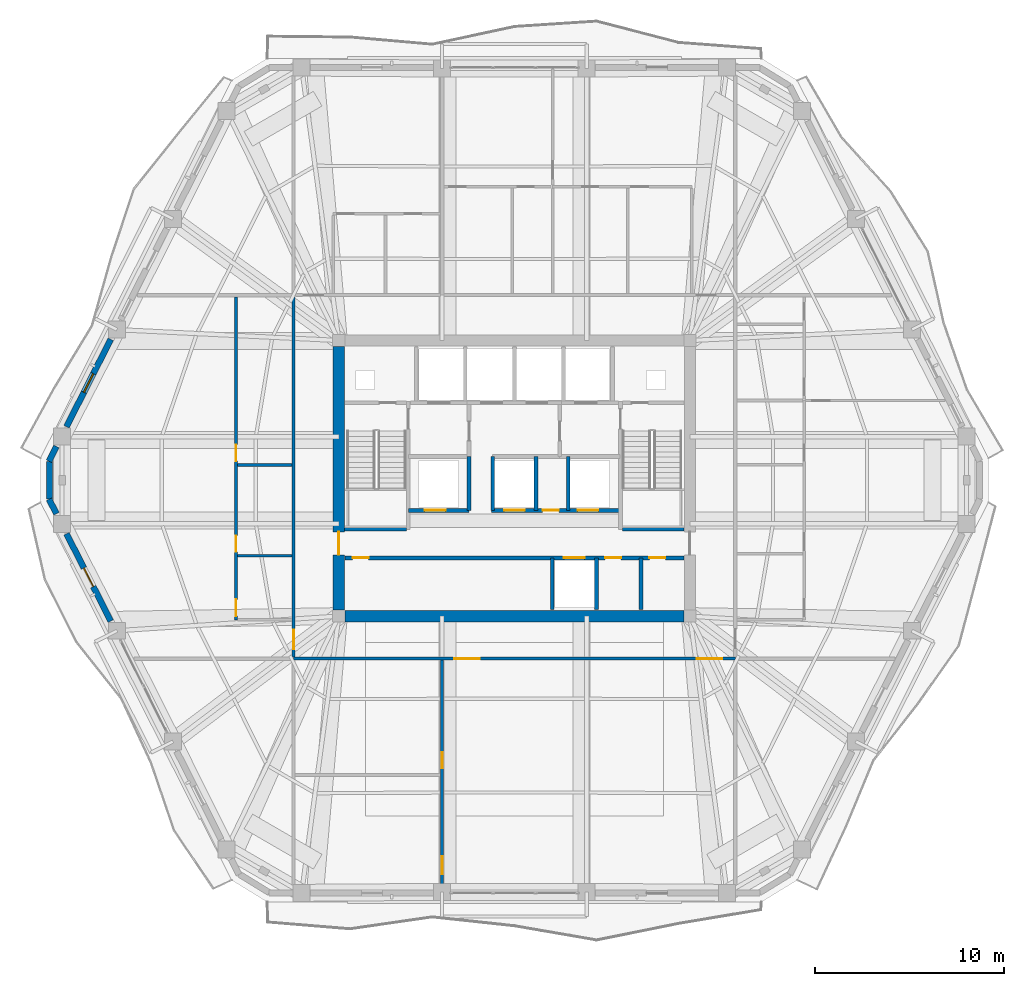
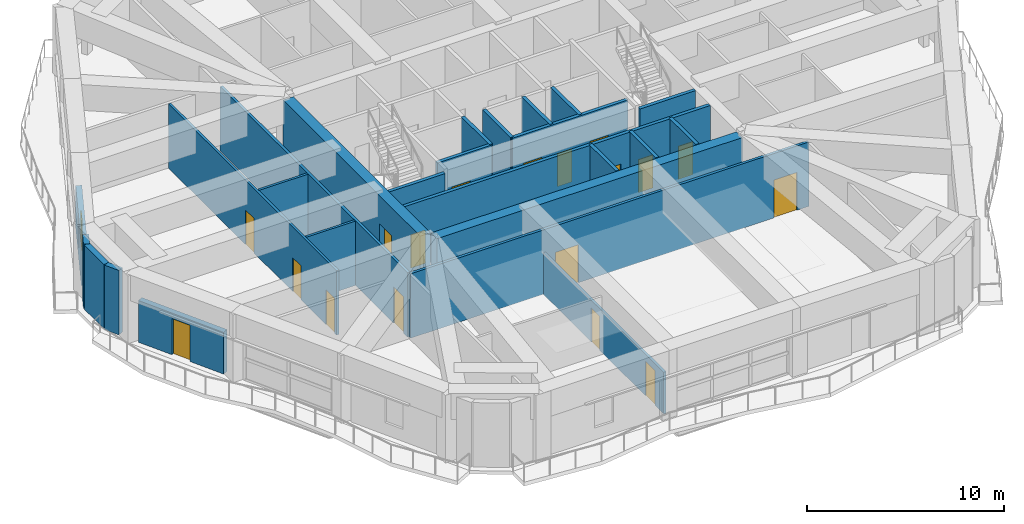
# One storey, part 13 of 20: 25 walls, 18 doors, 1 window, 19 openings.
"""IFC4 building model written with IfcOpenShell, lengths in metres."""

from ifc_helpers import new_model, si_unit, direction, frame, frame_2d, origin, place, context, subcontext, project, spatial, rectangle, extrude, material, layer, layer_set, type_object, element, fill, save


model = new_model("IFC4")

# Units and contexts
model_context = context("Model", 3, precision=1e-05, world=origin(), true_north=direction((0.0, 1.0)))
body_context = subcontext(model_context, "Body", "Model", "MODEL_VIEW")
ifc_project = project(units=[si_unit("LENGTHUNIT", "METRE"), si_unit("AREAUNIT", "SQUARE_METRE"), si_unit("VOLUMEUNIT", "CUBIC_METRE"), si_unit("PLANEANGLEUNIT", "RADIAN"), si_unit("MASSUNIT", "GRAM", prefix="KILO")], contexts=[model_context])

# Site, building, storey
site_placement = place(None, origin())
site = spatial("IfcSite", under=ifc_project, at=site_placement, CompositionType="ELEMENT")
building_placement = place(site_placement, origin())
building = spatial("IfcBuilding", under=site, at=building_placement, Name="Cinnabar Lancet Tower", CompositionType="ELEMENT")
storey_placement = place(building_placement, frame((0.0, 0.0, 167.699951171875)))
storey = spatial("IfcBuildingStorey", under=building, at=storey_placement, Name="L44", CompositionType="ELEMENT", Elevation=167.699951171875)

# Wall, openings, doors
ifc_material_1 = material(Name="Acoustic twin-stud gypsum partition", Category="gypsum")
ifc_layer_1 = layer(ifc_material_1, 0.159912109375)
ifc_layer_set_1 = layer_set([ifc_layer_1], Name="Acoustic twin-stud gypsum partition")
wall_type_1 = type_object("IfcWallType", Name="ARC-WL-CORR-160", PredefinedType="PARTITIONING", material=ifc_layer_set_1)
wall_1_placement = place(storey_placement, frame((20.699951171875, 16.35009765625, 0.0), z_axis=(0.0, 0.0, 1.0), x_axis=(1.0, 0.0, 0.0)))
wall_1 = element("IfcWall", 1, at=wall_1_placement, inside=storey, type_object=wall_type_1, Name="PW-L44-SLN", PredefinedType="PARTITIONING", context=body_context, shape_type="SweptSolid", body=[
    extrude(rectangle(XDim=23.400146484375, YDim=0.159912109375, at=frame_2d((11.7001953125, 0.0))), origin(), (0.0, 0.0, 1.0), 4.0),
])
opening_1_placement = place(wall_1_placement, frame((8.51806640625, 0.0, 0.0)))
opening_1 = element("IfcOpeningElement", 2, at=opening_1_placement, cuts=wall_1, Name="Opening UD-02", PredefinedType="OPENING", context=body_context, shape_type="SweptSolid", body=[
    extrude(rectangle(XDim=1.35009765625, YDim=2.35009765625, at=frame_2d((0.675048828125, 1.175048828125))), frame((0.0, 0.08984375, 0.0), z_axis=(0.0, -1.0, 0.0), x_axis=(1.0, 0.0, 0.0)), (0.0, 0.0, 1.0), 0.179931640625),
])
opening_2_placement = place(wall_1_placement, frame((21.35009765625, 0.0, 0.0)))
opening_2 = element("IfcOpeningElement", 3, at=opening_2_placement, cuts=wall_1, Name="Opening UD-02", PredefinedType="OPENING", context=body_context, shape_type="SweptSolid", body=[
    extrude(rectangle(XDim=1.35009765625, YDim=2.35009765625, at=frame_2d((0.675048828125, 1.175048828125))), frame((0.0, 0.08984375, 0.0), z_axis=(0.0, -1.0, 0.0), x_axis=(1.0, 0.0, 0.0)), (0.0, 0.0, 1.0), 0.179931640625),
])
ifc_material_2 = material(Name="Double-leaf solid timber penthouse entrance door", Category="wood")
door_type_1 = type_object("IfcDoorType", Name="ARC-DR-UNIT-PH", OperationType="NOTDEFINED", PredefinedType="DOOR", material=ifc_material_2)
door_1_placement = place(opening_1_placement, origin())
door_1 = element("IfcDoor", 4, at=door_1_placement, inside=storey, type_object=door_type_1, Name="DR-L44-SLOBW", OperationType="SINGLE_SWING_LEFT", OverallHeight=2.35009765625, OverallWidth=1.35009765625, PredefinedType="DOOR", context=body_context, shape_type="SweptSolid", body=[
    extrude(rectangle(XDim=1.35009765625, YDim=2.35009765625, at=frame_2d((0.675048828125, 1.175048828125))), frame((0.0, 0.02490234375, 0.0), z_axis=(0.0, -1.0, 0.0), x_axis=(1.0, 0.0, 0.0)), (0.0, 0.0, 1.0), 0.050048828125),
])
fill(opening_1, door_1)
door_2_placement = place(opening_2_placement, origin())
door_2 = element("IfcDoor", 5, at=door_2_placement, inside=storey, type_object=door_type_1, Name="DR-L44-SLOBE", OperationType="SINGLE_SWING_RIGHT", OverallHeight=2.35009765625, OverallWidth=1.35009765625, PredefinedType="DOOR", context=body_context, shape_type="SweptSolid", body=[
    extrude(rectangle(XDim=1.35009765625, YDim=2.35009765625, at=frame_2d((0.675048828125, 1.175048828125))), frame((0.0, 0.02490234375, 0.0), z_axis=(0.0, -1.0, 0.0), x_axis=(1.0, 0.0, 0.0)), (0.0, 0.0, 1.0), 0.050048828125),
])
fill(opening_2, door_2)

# Wall, opening, door
wall_2_placement = place(storey_placement, frame((20.699951171875, 16.445068359375, 0.0), z_axis=(0.0, 0.0, 1.0), x_axis=(0.0, 1.0, 0.0)))
wall_2 = element("IfcWall", 6, at=wall_2_placement, inside=storey, type_object=wall_type_1, Name="UW-L44-W01-COR", PredefinedType="PARTITIONING", context=body_context, shape_type="SweptSolid", body=[
    extrude(rectangle(XDim=19.059814453125, YDim=0.159912109375, at=frame_2d((9.52978515625, 0.0))), origin(), (0.0, 0.0, 1.0), 4.0),
])
opening_3_placement = place(wall_2_placement, frame((0.39990234375, 0.0, 0.0)))
opening_3 = element("IfcOpeningElement", 7, at=opening_3_placement, cuts=wall_2, Name="Opening UD-01", PredefinedType="OPENING", context=body_context, shape_type="SweptSolid", body=[
    extrude(rectangle(XDim=1.02001953125, YDim=2.25, at=frame_2d((0.510009765625, 1.125))), frame((0.0, 0.08984375, 0.0), z_axis=(0.0, -1.0, 0.0), x_axis=(1.0, 0.0, 0.0)), (0.0, 0.0, 1.0), 0.179931640625),
])
ifc_material_3 = material(Name="Solid timber fire-rated apartment entrance door", Category="wood")
door_type_2 = type_object("IfcDoorType", Name="ARC-DR-UNIT", OperationType="NOTDEFINED", PredefinedType="DOOR", material=ifc_material_3)
door_3_placement = place(opening_3_placement, origin())
door_3 = element("IfcDoor", 8, at=door_3_placement, inside=storey, type_object=door_type_2, Name="DR-L44-W01-ENT", OperationType="SINGLE_SWING_LEFT", OverallHeight=2.25, OverallWidth=1.02001953125, PredefinedType="DOOR", context=body_context, shape_type="SweptSolid", body=[
    extrude(rectangle(XDim=1.02001953125, YDim=2.25, at=frame_2d((0.510009765625, 1.125))), frame((0.0, 0.02490234375, 0.0), z_axis=(0.0, -1.0, 0.0), x_axis=(1.0, 0.0, 0.0)), (0.0, 0.0, 1.0), 0.050048828125),
])
fill(opening_3, door_3)

# Walls
ifc_material_4 = material(Name="Autoclaved aerated concrete blockwork", Category="masonry")
ifc_layer_2 = layer(ifc_material_4, 0.199951171875)
ifc_layer_set_2 = layer_set([ifc_layer_2], Name="Autoclaved aerated concrete blockwork")
wall_type_2 = type_object("IfcWallType", Name="ARC-WL-SHAFT-200", PredefinedType="PLUMBINGWALL", material=ifc_layer_set_2)
for number, where, z_axis, x_axis, name in (
    (9, (23.405029296875, 23.199951171875, 0.0), (0.0, 0.0, 1.0), (1.0, 0.0, 0.0), "CW-ST1S-L44"),
    (10, (38.125, 23.199951171875, 0.0), (0.0, 0.0, 1.0), (1.0, 0.0, 0.0), "CW-ST2S-L44"),
):
    element("IfcWall", number, at=place(storey_placement, frame(where, z_axis=z_axis, x_axis=x_axis)), inside=storey, type_object=wall_type_2, Name=name, PredefinedType="PLUMBINGWALL", context=body_context, shape_type="SweptSolid", body=[
        extrude(rectangle(XDim=3.27001953125, YDim=0.199951171875, at=frame_2d((1.635009765625, 0.0))), origin(), (0.0, 0.0, 1.0), 4.0),
    ])

# Wall, opening, door
wall_3_placement = place(storey_placement, frame((26.800048828125, 24.199951171875, 0.0), z_axis=(0.0, 0.0, 1.0), x_axis=(1.0, 0.0, 0.0)))
wall_3 = element("IfcWall", 11, at=wall_3_placement, inside=storey, type_object=wall_type_2, Name="CW-PL5S-L44", PredefinedType="PLUMBINGWALL", context=body_context, shape_type="SweptSolid", body=[
    extrude(rectangle(XDim=3.199951171875, YDim=0.199951171875, at=frame_2d((1.60009765625, 0.0))), origin(), (0.0, 0.0, 1.0), 4.0),
])
opening_4_placement = place(wall_3_placement, frame((0.85009765625, 0.0, 0.0)))
opening_4 = element("IfcOpeningElement", 12, at=opening_4_placement, cuts=wall_3, Name="Opening LD-01", PredefinedType="OPENING", context=body_context, shape_type="SweptSolid", body=[
    extrude(rectangle(XDim=1.10009765625, YDim=2.199951171875, at=frame_2d((0.550048828125, 1.10009765625))), frame((0.0, 0.10986328125, 0.0), z_axis=(0.0, -1.0, 0.0), x_axis=(1.0, 0.0, 0.0)), (0.0, 0.0, 1.0), 0.219970703125),
])
ifc_material_5 = material(Name="Brushed stainless steel sliding lift door", Category="steel")
door_type_3 = type_object("IfcDoorType", Name="ARC-DR-LD-PASS", OperationType="NOTDEFINED", PredefinedType="DOOR", material=ifc_material_5)
door_4_placement = place(opening_4_placement, origin())
door_4 = element("IfcDoor", 13, at=door_4_placement, inside=storey, type_object=door_type_3, Name="L44 Lift PL-5 Landing Door", OperationType="DOUBLE_DOOR_SLIDING", OverallHeight=2.199951171875, OverallWidth=1.10009765625, PredefinedType="DOOR", context=body_context, shape_type="SweptSolid", body=[
    extrude(rectangle(XDim=1.10009765625, YDim=2.199951171875, at=frame_2d((0.550048828125, 1.10009765625))), frame((0.0, 0.02490234375, 0.0), z_axis=(0.0, -1.0, 0.0), x_axis=(1.0, 0.0, 0.0)), (0.0, 0.0, 1.0), 0.050048828125),
])
fill(opening_4, door_4)

# Wall
wall_4_placement = place(storey_placement, frame((30.0, 24.199951171875, 0.0), z_axis=(0.0, 0.0, 1.0), x_axis=(0.0, 1.0, 0.0)))
element("IfcWall", 14, at=wall_4_placement, inside=storey, type_object=wall_type_2, Name="CW-PL5E-L44", PredefinedType="PLUMBINGWALL", context=body_context, shape_type="SweptSolid", body=[
    extrude(rectangle(XDim=2.85009765625, YDim=0.199951171875, at=frame_2d((1.425048828125, 0.0))), origin(), (0.0, 0.0, 1.0), 4.0),
])

# Wall, openings, doors
wall_5_placement = place(storey_placement, frame((31.199951171875, 24.199951171875, 0.0), z_axis=(0.0, 0.0, 1.0), x_axis=(1.0, 0.0, 0.0)))
wall_5 = element("IfcWall", 15, at=wall_5_placement, inside=storey, type_object=wall_type_2, Name="CW-PL96S-L44", PredefinedType="PLUMBINGWALL", context=body_context, shape_type="SweptSolid", body=[
    extrude(rectangle(XDim=6.800048828125, YDim=0.199951171875, at=frame_2d((3.39990234375, 0.0))), origin(), (0.0, 0.0, 1.0), 4.0),
])
opening_5_placement = place(wall_5_placement, frame((0.64990234375, 0.0, 0.0)))
opening_5 = element("IfcOpeningElement", 16, at=opening_5_placement, cuts=wall_5, Name="Opening LD-01", PredefinedType="OPENING", context=body_context, shape_type="SweptSolid", body=[
    extrude(rectangle(XDim=1.10009765625, YDim=2.199951171875, at=frame_2d((0.550048828125, 1.10009765625))), frame((0.0, 0.10986328125, 0.0), z_axis=(0.0, -1.0, 0.0), x_axis=(1.0, 0.0, 0.0)), (0.0, 0.0, 1.0), 0.219970703125),
])
opening_6_placement = place(wall_5_placement, frame((2.699951171875, 0.0, 0.0)))
opening_6 = element("IfcOpeningElement", 17, at=opening_6_placement, cuts=wall_5, Name="Opening PD-02", PredefinedType="OPENING", context=body_context, shape_type="SweptSolid", body=[
    extrude(rectangle(XDim=0.85009765625, YDim=2.050048828125, at=frame_2d((0.425048828125, 1.02490234375))), frame((0.0, 0.10986328125, 0.0), z_axis=(0.0, -1.0, 0.0), x_axis=(1.0, 0.0, 0.0)), (0.0, 0.0, 1.0), 0.219970703125),
])
opening_7_placement = place(wall_5_placement, frame((4.550048828125, 0.0, 0.0)))
opening_7 = element("IfcOpeningElement", 18, at=opening_7_placement, cuts=wall_5, Name="Opening LD-01", PredefinedType="OPENING", context=body_context, shape_type="SweptSolid", body=[
    extrude(rectangle(XDim=1.10009765625, YDim=2.199951171875, at=frame_2d((0.550048828125, 1.10009765625))), frame((0.0, 0.10986328125, 0.0), z_axis=(0.0, -1.0, 0.0), x_axis=(1.0, 0.0, 0.0)), (0.0, 0.0, 1.0), 0.219970703125),
])
door_5_placement = place(opening_5_placement, origin())
door_5 = element("IfcDoor", 19, at=door_5_placement, inside=storey, type_object=door_type_3, Name="L44 Lift PL-9 Landing Door", OperationType="DOUBLE_DOOR_SLIDING", OverallHeight=2.199951171875, OverallWidth=1.10009765625, PredefinedType="DOOR", context=body_context, shape_type="SweptSolid", body=[
    extrude(rectangle(XDim=1.10009765625, YDim=2.199951171875, at=frame_2d((0.550048828125, 1.10009765625))), frame((0.0, 0.02490234375, 0.0), z_axis=(0.0, -1.0, 0.0), x_axis=(1.0, 0.0, 0.0)), (0.0, 0.0, 1.0), 0.050048828125),
])
fill(opening_5, door_5)
door_6_placement = place(opening_7_placement, origin())
door_6 = element("IfcDoor", 20, at=door_6_placement, inside=storey, type_object=door_type_3, Name="L44 Lift PL-6 Landing Door", OperationType="DOUBLE_DOOR_SLIDING", OverallHeight=2.199951171875, OverallWidth=1.10009765625, PredefinedType="DOOR", context=body_context, shape_type="SweptSolid", body=[
    extrude(rectangle(XDim=1.10009765625, YDim=2.199951171875, at=frame_2d((0.550048828125, 1.10009765625))), frame((0.0, 0.02490234375, 0.0), z_axis=(0.0, -1.0, 0.0), x_axis=(1.0, 0.0, 0.0)), (0.0, 0.0, 1.0), 0.050048828125),
])
fill(opening_7, door_6)
ifc_material_6 = material(Name="Fire-rated steel riser access door", Category="steel")
door_type_4 = type_object("IfcDoorType", Name="ARC-DR-RISER", OperationType="NOTDEFINED", PredefinedType="DOOR", material=ifc_material_6)
door_7_placement = place(opening_6_placement, origin())
door_7 = element("IfcDoor", 21, at=door_7_placement, inside=storey, type_object=door_type_4, Name="L44 BMS Closet Door", OperationType="SINGLE_SWING_LEFT", OverallHeight=2.050048828125, OverallWidth=0.85009765625, PredefinedType="DOOR", context=body_context, shape_type="SweptSolid", body=[
    extrude(rectangle(XDim=0.85009765625, YDim=2.050048828125, at=frame_2d((0.425048828125, 1.02490234375))), frame((0.0, 0.02490234375, 0.0), z_axis=(0.0, -1.0, 0.0), x_axis=(1.0, 0.0, 0.0)), (0.0, 0.0, 1.0), 0.050048828125),
])
fill(opening_6, door_7)

# Walls
for number, where, z_axis, x_axis, name in (
    (22, (31.25, 24.199951171875, 0.0), (0.0, 0.0, 1.0), (0.0, 1.0, 0.0), "CW-PL9W-L44"),
    (23, (33.550048828125, 24.199951171875, 0.0), (0.0, 0.0, 1.0), (0.0, 1.0, 0.0), "CW-PL9E-L44"),
    (24, (35.25, 24.199951171875, 0.0), (0.0, 0.0, 1.0), (0.0, 1.0, 0.0), "CW-PL6W-L44"),
):
    element("IfcWall", number, at=place(storey_placement, frame(where, z_axis=z_axis, x_axis=x_axis)), inside=storey, type_object=wall_type_2, Name=name, PredefinedType="PLUMBINGWALL", context=body_context, shape_type="SweptSolid", body=[
        extrude(rectangle(XDim=2.85009765625, YDim=0.199951171875, at=frame_2d((1.425048828125, 0.0))), origin(), (0.0, 0.0, 1.0), 4.0),
    ])

# Wall, openings, doors
wall_6_placement = place(storey_placement, frame((23.419921875, 21.679931640625, 0.0), z_axis=(0.0, 0.0, 1.0), x_axis=(1.0, 0.0, 0.0)))
wall_6 = element("IfcWall", 25, at=wall_6_placement, inside=storey, type_object=wall_type_2, Name="CW-SBANDN-L44", PredefinedType="PLUMBINGWALL", context=body_context, shape_type="SweptSolid", body=[
    extrude(rectangle(XDim=17.9599609375, YDim=0.199951171875, at=frame_2d((8.97998046875, 0.0))), origin(), (0.0, 0.0, 1.0), 4.0),
])
opening_8_placement = place(wall_6_placement, frame((11.60009765625, 0.0, 0.0)))
opening_8 = element("IfcOpeningElement", 26, at=opening_8_placement, cuts=wall_6, Name="Opening LD-01", PredefinedType="OPENING", context=body_context, shape_type="SweptSolid", body=[
    extrude(rectangle(XDim=1.10009765625, YDim=2.199951171875, at=frame_2d((0.550048828125, 1.10009765625))), frame((0.0, 0.10986328125, 0.0), z_axis=(0.0, -1.0, 0.0), x_axis=(1.0, 0.0, 0.0)), (0.0, 0.0, 1.0), 0.219970703125),
])
opening_9_placement = place(wall_6_placement, frame((0.409912109375, 0.0, 0.0)))
opening_9 = element("IfcOpeningElement", 27, at=opening_9_placement, cuts=wall_6, Name="Opening PD-02", PredefinedType="OPENING", context=body_context, shape_type="SweptSolid", body=[
    extrude(rectangle(XDim=0.85009765625, YDim=2.050048828125, at=frame_2d((0.425048828125, 1.02490234375))), frame((0.0, 0.10986328125, 0.0), z_axis=(0.0, -1.0, 0.0), x_axis=(1.0, 0.0, 0.0)), (0.0, 0.0, 1.0), 0.219970703125),
])
opening_10_placement = place(wall_6_placement, frame((13.780029296875, 0.0, 0.0)))
opening_10 = element("IfcOpeningElement", 28, at=opening_10_placement, cuts=wall_6, Name="Opening PD-02", PredefinedType="OPENING", context=body_context, shape_type="SweptSolid", body=[
    extrude(rectangle(XDim=0.85009765625, YDim=2.050048828125, at=frame_2d((0.425048828125, 1.02490234375))), frame((0.0, 0.10986328125, 0.0), z_axis=(0.0, -1.0, 0.0), x_axis=(1.0, 0.0, 0.0)), (0.0, 0.0, 1.0), 0.219970703125),
])
opening_11_placement = place(wall_6_placement, frame((16.1298828125, 0.0, 0.0)))
opening_11 = element("IfcOpeningElement", 29, at=opening_11_placement, cuts=wall_6, Name="Opening PD-02", PredefinedType="OPENING", context=body_context, shape_type="SweptSolid", body=[
    extrude(rectangle(XDim=0.85009765625, YDim=2.050048828125, at=frame_2d((0.425048828125, 1.02490234375))), frame((0.0, 0.10986328125, 0.0), z_axis=(0.0, -1.0, 0.0), x_axis=(1.0, 0.0, 0.0)), (0.0, 0.0, 1.0), 0.219970703125),
])
door_8_placement = place(opening_8_placement, origin())
door_8 = element("IfcDoor", 30, at=door_8_placement, inside=storey, type_object=door_type_3, Name="L44 Lift PL-4 Landing Door", OperationType="DOUBLE_DOOR_SLIDING", OverallHeight=2.199951171875, OverallWidth=1.10009765625, PredefinedType="DOOR", context=body_context, shape_type="SweptSolid", body=[
    extrude(rectangle(XDim=1.10009765625, YDim=2.199951171875, at=frame_2d((0.550048828125, 1.10009765625))), frame((0.0, 0.02490234375, 0.0), z_axis=(0.0, -1.0, 0.0), x_axis=(1.0, 0.0, 0.0)), (0.0, 0.0, 1.0), 0.050048828125),
])
fill(opening_8, door_8)
door_9_placement = place(opening_9_placement, origin())
door_9 = element("IfcDoor", 31, at=door_9_placement, inside=storey, type_object=door_type_4, Name="DR-L44-MREC1", OperationType="SINGLE_SWING_LEFT", OverallHeight=2.050048828125, OverallWidth=0.85009765625, PredefinedType="DOOR", context=body_context, shape_type="SweptSolid", body=[
    extrude(rectangle(XDim=0.85009765625, YDim=2.050048828125, at=frame_2d((0.425048828125, 1.02490234375))), frame((0.0, 0.02490234375, 0.0), z_axis=(0.0, -1.0, 0.0), x_axis=(1.0, 0.0, 0.0)), (0.0, 0.0, 1.0), 0.050048828125),
])
fill(opening_9, door_9)
door_10_placement = place(opening_10_placement, origin())
door_10 = element("IfcDoor", 32, at=door_10_placement, inside=storey, type_object=door_type_4, Name="DR-L44-MREC2", OperationType="SINGLE_SWING_RIGHT", OverallHeight=2.050048828125, OverallWidth=0.85009765625, PredefinedType="DOOR", context=body_context, shape_type="SweptSolid", body=[
    extrude(rectangle(XDim=0.85009765625, YDim=2.050048828125, at=frame_2d((0.425048828125, 1.02490234375))), frame((0.0, 0.02490234375, 0.0), z_axis=(0.0, -1.0, 0.0), x_axis=(1.0, 0.0, 0.0)), (0.0, 0.0, 1.0), 0.050048828125),
])
fill(opening_10, door_10)
door_11_placement = place(opening_11_placement, origin())
door_11 = element("IfcDoor", 33, at=door_11_placement, inside=storey, type_object=door_type_4, Name="DR-L44-MREC3", OperationType="SINGLE_SWING_LEFT", OverallHeight=2.050048828125, OverallWidth=0.85009765625, PredefinedType="DOOR", context=body_context, shape_type="SweptSolid", body=[
    extrude(rectangle(XDim=0.85009765625, YDim=2.050048828125, at=frame_2d((0.425048828125, 1.02490234375))), frame((0.0, 0.02490234375, 0.0), z_axis=(0.0, -1.0, 0.0), x_axis=(1.0, 0.0, 0.0)), (0.0, 0.0, 1.0), 0.050048828125),
])
fill(opening_11, door_11)

# Walls
for number, where, z_axis, x_axis, name in (
    (34, (34.39990234375, 18.949951171875, 0.0), (0.0, 0.0, 1.0), (0.0, 1.0, 0.0), "CW-SB-3440-L44"),
    (35, (36.75, 18.949951171875, 0.0), (0.0, 0.0, 1.0), (0.0, 1.0, 0.0), "CW-SB-3675-L44"),
    (36, (39.10009765625, 18.949951171875, 0.0), (0.0, 0.0, 1.0), (0.0, 1.0, 0.0), "CW-SB-3910-L44"),
):
    element("IfcWall", number, at=place(storey_placement, frame(where, z_axis=z_axis, x_axis=x_axis)), inside=storey, type_object=wall_type_2, Name=name, PredefinedType="PLUMBINGWALL", context=body_context, shape_type="SweptSolid", body=[
        extrude(rectangle(XDim=2.72998046875, YDim=0.199951171875, at=frame_2d((1.364990234375, 0.0))), origin(), (0.0, 0.0, 1.0), 4.0),
    ])

# Wall, openings, doors
ifc_material_7 = material(Name="Moisture-resistant cement-board plumbing wall", Category="masonry")
ifc_layer_3 = layer(ifc_material_7, 0.139892578125)
ifc_layer_set_3 = layer_set([ifc_layer_3], Name="Moisture-resistant cement-board plumbing wall")
wall_type_3 = type_object("IfcWallType", Name="ARC-WL-WET-140", PredefinedType="PLUMBINGWALL", material=ifc_layer_set_3)
wall_7_placement = place(storey_placement, frame((28.568115234375, 4.014892578125, 0.0), z_axis=(0.0, 0.0, 1.0), x_axis=(0.0, 1.0, 0.0)))
wall_7 = element("IfcWall", 37, at=wall_7_placement, inside=storey, type_object=wall_type_3, Name="PW-L44-SLWC", PredefinedType="PLUMBINGWALL", context=body_context, shape_type="SweptSolid", body=[
    extrude(rectangle(XDim=12.25, YDim=0.139892578125, at=frame_2d((6.125, 0.0))), origin(), (0.0, 0.0, 1.0), 2.590087890625),
])
opening_12_placement = place(wall_7_placement, frame((6.51806640625, 0.0, 0.0)))
opening_12 = element("IfcOpeningElement", 38, at=opening_12_placement, cuts=wall_7, Name="Opening BD-01", PredefinedType="OPENING", context=body_context, shape_type="SweptSolid", body=[
    extrude(rectangle(XDim=0.860107421875, YDim=2.10009765625, at=frame_2d((0.43017578125, 1.050048828125))), frame((0.0, 0.079833984375, 0.0), z_axis=(0.0, -1.0, 0.0), x_axis=(1.0, 0.0, 0.0)), (0.0, 0.0, 1.0), 0.159912109375),
])
opening_13_placement = place(wall_7_placement, frame((0.89990234375, 0.0, 0.0)))
opening_13 = element("IfcOpeningElement", 39, at=opening_13_placement, cuts=wall_7, Name="Opening BD-02", PredefinedType="OPENING", context=body_context, shape_type="SweptSolid", body=[
    extrude(rectangle(XDim=0.9599609375, YDim=2.14990234375, at=frame_2d((0.47998046875, 1.074951171875))), frame((0.0, 0.079833984375, 0.0), z_axis=(0.0, -1.0, 0.0), x_axis=(1.0, 0.0, 0.0)), (0.0, 0.0, 1.0), 0.159912109375),
])
ifc_material_8 = material(Name="Accessible wide-leaf washroom door", Category="wood")
door_type_5 = type_object("IfcDoorType", Name="ARC-DR-ACCWC", OperationType="NOTDEFINED", PredefinedType="DOOR", material=ifc_material_8)
door_12_placement = place(opening_13_placement, origin())
door_12 = element("IfcDoor", 40, at=door_12_placement, inside=storey, type_object=door_type_5, Name="DR-L44-ACCWC", OperationType="SINGLE_SWING_LEFT", OverallHeight=2.14990234375, OverallWidth=0.9599609375, PredefinedType="DOOR", context=body_context, shape_type="SweptSolid", body=[
    extrude(rectangle(XDim=0.9599609375, YDim=2.14990234375, at=frame_2d((0.47998046875, 1.074951171875))), frame((0.0, 0.02490234375, 0.0), z_axis=(0.0, -1.0, 0.0), x_axis=(1.0, 0.0, 0.0)), (0.0, 0.0, 1.0), 0.050048828125),
])
fill(opening_13, door_12)
ifc_material_9 = material(Name="Moisture-resistant timber bathroom door", Category="wood")
door_type_6 = type_object("IfcDoorType", Name="ARC-DR-BATH", OperationType="NOTDEFINED", PredefinedType="DOOR", material=ifc_material_9)
door_13_placement = place(opening_12_placement, origin())
door_13 = element("IfcDoor", 41, at=door_13_placement, inside=storey, type_object=door_type_6, Name="DR-L44-PUBWC", OperationType="SINGLE_SWING_RIGHT", OverallHeight=2.10009765625, OverallWidth=0.860107421875, PredefinedType="DOOR", context=body_context, shape_type="SweptSolid", body=[
    extrude(rectangle(XDim=0.860107421875, YDim=2.10009765625, at=frame_2d((0.43017578125, 1.050048828125))), frame((0.0, 0.02490234375, 0.0), z_axis=(0.0, -1.0, 0.0), x_axis=(1.0, 0.0, 0.0)), (0.0, 0.0, 1.0), 0.050048828125),
])
fill(opening_12, door_13)

wall_8_placement = place(storey_placement, frame((17.64990234375, 18.39990234375, 0.0), z_axis=(0.0, 0.0, 1.0), x_axis=(0.0, 1.0, 0.0)))
wall_8 = element("IfcWall", 42, at=wall_8_placement, inside=storey, type_object=wall_type_3, Name="UW-L44-W01-SPL", PredefinedType="PLUMBINGWALL", context=body_context, shape_type="SweptSolid", body=[
    extrude(rectangle(XDim=17.10498046875, YDim=0.139892578125, at=frame_2d((8.552490234375, 0.0))), origin(), (0.0, 0.0, 1.0), 4.0),
])
opening_14_placement = place(wall_8_placement, frame((3.60009765625, 0.0, 0.0)))
opening_14 = element("IfcOpeningElement", 43, at=opening_14_placement, cuts=wall_8, Name="Opening BD-01", PredefinedType="OPENING", context=body_context, shape_type="SweptSolid", body=[
    extrude(rectangle(XDim=0.860107421875, YDim=2.10009765625, at=frame_2d((0.43017578125, 1.050048828125))), frame((0.0, 0.079833984375, 0.0), z_axis=(0.0, -1.0, 0.0), x_axis=(1.0, 0.0, 0.0)), (0.0, 0.0, 1.0), 0.159912109375),
])
opening_15_placement = place(wall_8_placement, frame((8.407958984375, 0.0, 0.0)))
opening_15 = element("IfcOpeningElement", 44, at=opening_15_placement, cuts=wall_8, Name="Opening RD-02", PredefinedType="OPENING", context=body_context, shape_type="SweptSolid", body=[
    extrude(rectangle(XDim=0.8798828125, YDim=2.14990234375, at=frame_2d((0.43994140625, 1.074951171875))), frame((0.0, 0.079833984375, 0.0), z_axis=(0.0, -1.0, 0.0), x_axis=(1.0, 0.0, 0.0)), (0.0, 0.0, 1.0), 0.159912109375),
])
opening_16_placement = place(wall_8_placement, frame((0.199951171875, 0.0, 0.0)))
opening_16 = element("IfcOpeningElement", 45, at=opening_16_placement, cuts=wall_8, Name="Opening RD-02", PredefinedType="OPENING", context=body_context, shape_type="SweptSolid", body=[
    extrude(rectangle(XDim=0.8798828125, YDim=2.14990234375, at=frame_2d((0.43994140625, 1.074951171875))), frame((0.0, 0.079833984375, 0.0), z_axis=(0.0, -1.0, 0.0), x_axis=(1.0, 0.0, 0.0)), (0.0, 0.0, 1.0), 0.159912109375),
])
door_14_placement = place(opening_14_placement, origin())
door_14 = element("IfcDoor", 46, at=door_14_placement, inside=storey, type_object=door_type_6, Name="DR-L44-W01-BTH", OperationType="SINGLE_SWING_LEFT", OverallHeight=2.10009765625, OverallWidth=0.860107421875, PredefinedType="DOOR", context=body_context, shape_type="SweptSolid", body=[
    extrude(rectangle(XDim=0.860107421875, YDim=2.10009765625, at=frame_2d((0.43017578125, 1.050048828125))), frame((0.0, 0.02490234375, 0.0), z_axis=(0.0, -1.0, 0.0), x_axis=(1.0, 0.0, 0.0)), (0.0, 0.0, 1.0), 0.050048828125),
])
fill(opening_14, door_14)
ifc_material_10 = material(Name="Engineered timber study door", Category="wood")
door_type_7 = type_object("IfcDoorType", Name="ARC-DR-STUDY", OperationType="NOTDEFINED", PredefinedType="DOOR", material=ifc_material_10)
door_15_placement = place(opening_15_placement, origin())
door_15 = element("IfcDoor", 47, at=door_15_placement, inside=storey, type_object=door_type_7, Name="DR-L44-W01-WDR", OperationType="SINGLE_SWING_RIGHT", OverallHeight=2.14990234375, OverallWidth=0.8798828125, PredefinedType="DOOR", context=body_context, shape_type="SweptSolid", body=[
    extrude(rectangle(XDim=0.8798828125, YDim=2.14990234375, at=frame_2d((0.43994140625, 1.074951171875))), frame((0.0, 0.02490234375, 0.0), z_axis=(0.0, -1.0, 0.0), x_axis=(1.0, 0.0, 0.0)), (0.0, 0.0, 1.0), 0.050048828125),
])
fill(opening_15, door_15)
door_16_placement = place(opening_16_placement, origin())
door_16 = element("IfcDoor", 48, at=door_16_placement, inside=storey, type_object=door_type_7, Name="DR-L44-W01-KIT", OperationType="SINGLE_SWING_RIGHT", OverallHeight=2.14990234375, OverallWidth=0.8798828125, PredefinedType="DOOR", context=body_context, shape_type="SweptSolid", body=[
    extrude(rectangle(XDim=0.8798828125, YDim=2.14990234375, at=frame_2d((0.43994140625, 1.074951171875))), frame((0.0, 0.02490234375, 0.0), z_axis=(0.0, -1.0, 0.0), x_axis=(1.0, 0.0, 0.0)), (0.0, 0.0, 1.0), 0.050048828125),
])
fill(opening_16, door_16)

# Walls
for number, where, z_axis, x_axis, name in (
    (49, (17.735107421875, 21.800048828125, 0.0), (0.0, 0.0, 1.0), (1.0, 0.0, 0.0), "UW-L44-W01-KDV"),
    (50, (17.735107421875, 26.60791015625, 0.0), (0.0, 0.0, 1.0), (1.0, 0.0, 0.0), "UW-L44-W01-BWDV"),
):
    element("IfcWall", number, at=place(storey_placement, frame(where, z_axis=z_axis, x_axis=x_axis)), inside=storey, type_object=wall_type_3, Name=name, PredefinedType="PLUMBINGWALL", context=body_context, shape_type="SweptSolid", body=[
        extrude(rectangle(XDim=2.8798828125, YDim=0.139892578125, at=frame_2d((1.43994140625, 0.0))), origin(), (0.0, 0.0, 1.0), 4.0),
    ])
ifc_material_11 = material(Name="Warm buff clay brick", Category="masonry")
ifc_layer_4 = layer(ifc_material_11, 0.320068359375)
ifc_layer_set_4 = layer_set([ifc_layer_4], Name="Warm buff clay brick")
wall_type_4 = type_object("IfcWallType", Name="ENV-WL-BRK-BUF-320", PredefinedType="STANDARD", material=ifc_layer_set_4)
wall_9_placement = place(storey_placement, frame((7.76708984375, 26.799072265625, 0.0), z_axis=(0.0, 0.0, 1.0), x_axis=(0.0, -1.0, 0.0)))
element("IfcWall", 51, at=wall_9_placement, inside=storey, type_object=wall_type_4, Name="L44 Chamfered Corner Brick Pier 6.1", PredefinedType="STANDARD", context=body_context, shape_type="SweptSolid", body=[
    extrude(rectangle(XDim=1.998046875, YDim=0.320068359375, at=frame_2d((0.9990234375, 0.0))), origin(), (0.0, 0.0, 1.0), 4.0),
])

# Wall, opening, window
wall_10_placement = place(storey_placement, frame((11.013916015625, 33.261962890625, 0.0), z_axis=(0.0, 0.0, 1.0), x_axis=(-0.451577146935, -0.892232077638, 0.0)))
wall_10 = element("IfcWall", 52, at=wall_10_placement, inside=storey, type_object=wall_type_4, Name="L44 Face 5 Masonry Bay Wall 4", PredefinedType="STANDARD", context=body_context, shape_type="SweptSolid", body=[
    extrude(rectangle(XDim=5.185791015625, YDim=0.320068359375, at=frame_2d((2.5927734375, 0.0))), origin(), (0.0, 0.0, 1.0), 2.590087890625),
])
opening_17_placement = place(wall_10_placement, frame((2.04296875, 0.0, 0.75)))
opening_17 = element("IfcOpeningElement", 53, at=opening_17_placement, cuts=wall_10, Name="Opening WN-04", PredefinedType="OPENING", context=body_context, shape_type="SweptSolid", body=[
    extrude(rectangle(XDim=1.10009765625, YDim=1.68994140625, at=frame_2d((0.550048828125, 0.844970703125))), frame((0.0, 0.169921875, 0.0), z_axis=(0.0, -1.0, 0.0), x_axis=(1.0, 0.0, 0.0)), (0.0, 0.0, 1.0), 0.340087890625),
])
ifc_material_12 = material(Name="Thermally broken bronze-anodized aluminium tall lancet window", Category="aluminium")
window_type = type_object("IfcWindowType", Name="ENV-WN-LANCET-1100", PartitioningType="SINGLE_PANEL", PredefinedType="WINDOW", material=ifc_material_12)
window_placement = place(opening_17_placement, origin())
window = element("IfcWindow", 54, at=window_placement, inside=storey, type_object=window_type, Name="L44 Face 5 Gothic Lancet Window 4", OverallHeight=1.68994140625, OverallWidth=1.10009765625, PartitioningType="SINGLE_PANEL", PredefinedType="WINDOW", context=body_context, shape_type="SweptSolid", body=[
    extrude(rectangle(XDim=1.10009765625, YDim=1.68994140625, at=frame_2d((0.550048828125, 0.844970703125))), frame((0.0, 0.030029296875, 0.0), z_axis=(0.0, -1.0, 0.0), x_axis=(1.0, 0.0, 0.0)), (0.0, 0.0, 1.0), 0.06005859375),
])
fill(opening_17, window)

# Walls
wall_11_placement = place(storey_placement, frame((8.139892578125, 27.5830078125, 0.0), z_axis=(0.0, 0.0, 1.0), x_axis=(-0.451134636701, -0.892455903431, 0.0)))
element("IfcWall", 55, at=wall_11_placement, inside=storey, type_object=wall_type_4, Name="L44 Face 5 Masonry Bay Wall 5", PredefinedType="STANDARD", context=body_context, shape_type="SweptSolid", body=[
    extrude(rectangle(XDim=0.870849609375, YDim=0.320068359375, at=frame_2d((0.435546875, 0.0))), origin(), (0.0, 0.0, 1.0), 4.0),
])
wall_12_placement = place(storey_placement, frame((7.7470703125, 24.7939453125, 0.0), z_axis=(0.0, 0.0, 1.0), x_axis=(0.451247548119, -0.892398817971, 0.0)))
element("IfcWall", 56, at=wall_12_placement, inside=storey, type_object=wall_type_4, Name="L44 Face 6 Masonry Bay Wall 1", PredefinedType="STANDARD", context=body_context, shape_type="SweptSolid", body=[
    extrude(rectangle(XDim=0.87060546875, YDim=0.320068359375, at=frame_2d((0.435302734375, 0.0))), origin(), (0.0, 0.0, 1.0), 4.0),
])

# Wall, opening, door
wall_13_placement = place(storey_placement, frame((8.672119140625, 22.965087890625, 0.0), z_axis=(0.0, 0.0, 1.0), x_axis=(0.451558179147, -0.892241677375, 0.0)))
wall_13 = element("IfcWall", 57, at=wall_13_placement, inside=storey, type_object=wall_type_4, Name="L44 Face 6 Masonry Bay Wall 2", PredefinedType="STANDARD", context=body_context, shape_type="SweptSolid", body=[
    extrude(rectangle(XDim=5.18603515625, YDim=0.320068359375, at=frame_2d((2.593017578125, 0.0))), origin(), (0.0, 0.0, 1.0), 2.590087890625),
])
opening_18_placement = place(wall_13_placement, frame((2.04296875, 0.0, 0.0)))
opening_18 = element("IfcOpeningElement", 58, at=opening_18_placement, cuts=wall_13, Name="Opening TD-01", PredefinedType="OPENING", context=body_context, shape_type="SweptSolid", body=[
    extrude(rectangle(XDim=1.10009765625, YDim=2.25, at=frame_2d((0.550048828125, 1.125))), frame((0.0, 0.169921875, 0.0), z_axis=(0.0, -1.0, 0.0), x_axis=(1.0, 0.0, 0.0)), (0.0, 0.0, 1.0), 0.340087890625),
])
ifc_material_13 = material(Name="Thermally broken low-E glazed balcony terrace door", Category="wood")
door_type_8 = type_object("IfcDoorType", Name="ARC-DR-BALC", OperationType="NOTDEFINED", PredefinedType="DOOR", material=ifc_material_13)
door_17_placement = place(opening_18_placement, origin())
door_17 = element("IfcDoor", 59, at=door_17_placement, inside=storey, type_object=door_type_8, Name="L44 Face 6 Glazed Terrace Door", OperationType="SINGLE_SWING_RIGHT", OverallHeight=2.25, OverallWidth=1.10009765625, PredefinedType="DOOR", context=body_context, shape_type="SweptSolid", body=[
    extrude(rectangle(XDim=1.10009765625, YDim=2.25, at=frame_2d((0.550048828125, 1.125))), frame((0.0, 0.02490234375, 0.0), z_axis=(0.0, -1.0, 0.0), x_axis=(1.0, 0.0, 0.0)), (0.0, 0.0, 1.0), 0.050048828125),
])
fill(opening_18, door_17)

# Wall
ifc_material_14 = material(Name="Concrete C60/75", Category="concrete")
ifc_layer_5 = layer(ifc_material_14, 0.60009765625)
ifc_layer_set_5 = layer_set([ifc_layer_5], Name="Concrete C60/75")
wall_type_5 = type_object("IfcWallType", Name="STR-WL-CORE-600", PredefinedType="SHEAR", material=ifc_layer_set_5)
wall_14_placement = place(storey_placement, frame((23.425048828125, 18.60009765625, 0.0), z_axis=(0.0, 0.0, 1.0), x_axis=(1.0, 0.0, 0.0)))
element("IfcWall", 60, at=wall_14_placement, inside=storey, type_object=wall_type_5, Name="L44 Core Shear Wall S", PredefinedType="SHEAR", context=body_context, shape_type="SweptSolid", body=[
    extrude(rectangle(XDim=17.949951171875, YDim=0.60009765625, at=frame_2d((8.97509765625, 0.0))), origin(), (0.0, 0.0, 1.0), 4.0),
])

# Wall, opening, door
wall_15_placement = place(storey_placement, frame((23.10009765625, 18.925048828125, 0.0), z_axis=(0.0, 0.0, 1.0), x_axis=(0.0, 1.0, 0.0)))
wall_15 = element("IfcWall", 61, at=wall_15_placement, inside=storey, type_object=wall_type_5, Name="L44 Core Shear Wall W", PredefinedType="SHEAR", context=body_context, shape_type="SweptSolid", body=[
    extrude(rectangle(XDim=13.949951171875, YDim=0.60009765625, at=frame_2d((6.97509765625, 0.0))), origin(), (0.0, 0.0, 1.0), 4.0),
])
opening_19_placement = place(wall_15_placement, frame((2.9150390625, 0.0, 0.0)))
opening_19 = element("IfcOpeningElement", 62, at=opening_19_placement, cuts=wall_15, Name="Opening FD-02", PredefinedType="OPENING", context=body_context, shape_type="SweptSolid", body=[
    extrude(rectangle(XDim=1.219970703125, YDim=2.25, at=frame_2d((0.60986328125, 1.125))), frame((0.0, 0.31005859375, 0.0), z_axis=(0.0, -1.0, 0.0), x_axis=(1.0, 0.0, 0.0)), (0.0, 0.0, 1.0), 0.6201171875),
])
ifc_material_15 = material(Name="Fire-rated double-vision core portal door", Category="wood")
door_type_9 = type_object("IfcDoorType", Name="ARC-DR-CPORT", OperationType="NOTDEFINED", PredefinedType="DOOR", material=ifc_material_15)
door_18_placement = place(opening_19_placement, origin())
door_18 = element("IfcDoor", 63, at=door_18_placement, inside=storey, type_object=door_type_9, Name="L44 West Core Lobby Fire Door", OperationType="SINGLE_SWING_RIGHT", OverallHeight=2.25, OverallWidth=1.219970703125, PredefinedType="DOOR", context=body_context, shape_type="SweptSolid", body=[
    extrude(rectangle(XDim=1.219970703125, YDim=2.25, at=frame_2d((0.60986328125, 1.125))), frame((0.0, 0.02490234375, 0.0), z_axis=(0.0, -1.0, 0.0), x_axis=(1.0, 0.0, 0.0)), (0.0, 0.0, 1.0), 0.050048828125),
])
fill(opening_19, door_18)

save(model, "model.ifc")
